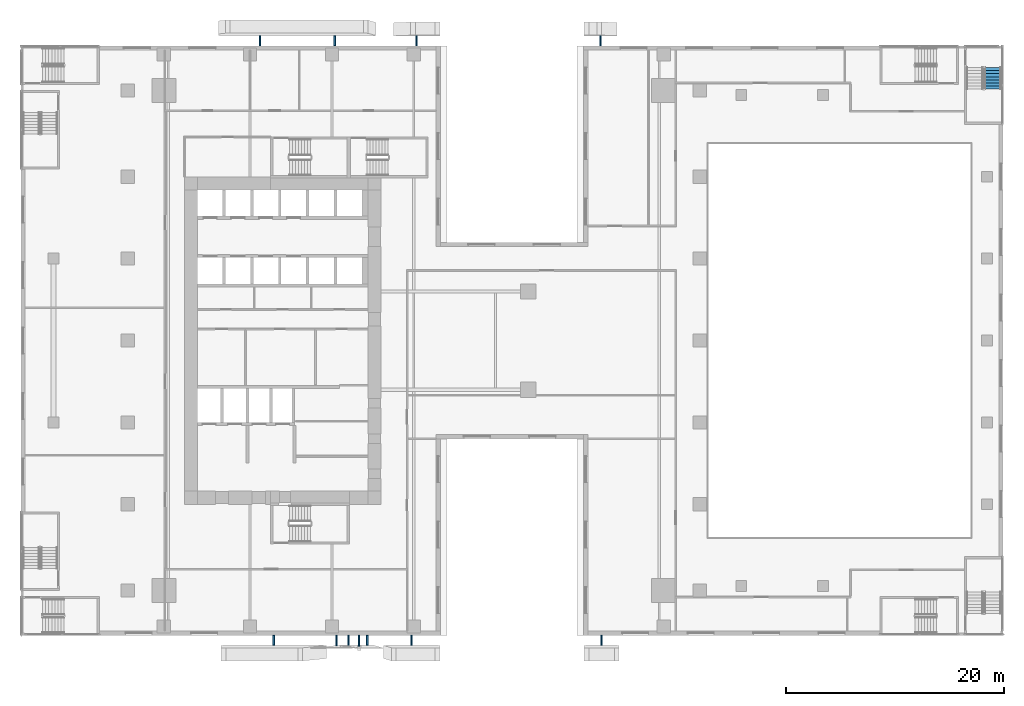
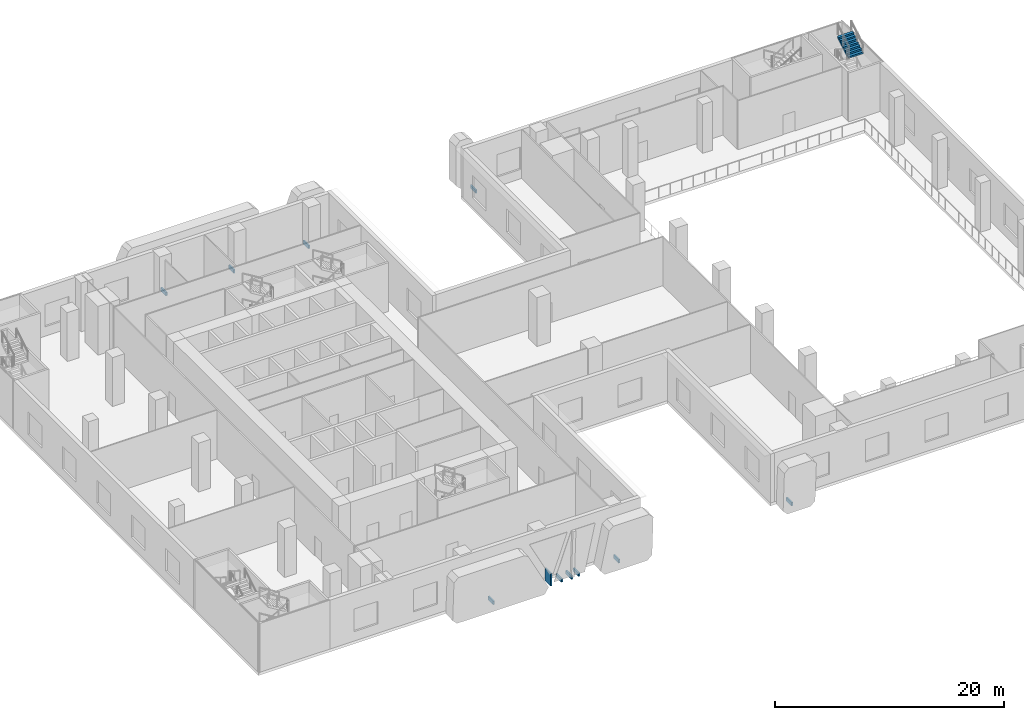
# One storey, part 16 of 23: 11 discrete accessories, 1 stair flight, 1 element without a shape of its own.
"""IFC4 building model written with IfcOpenShell, lengths in metres."""

from ifc_helpers import new_model, si_unit, direction, frame, origin, origin_2d, place, context, subcontext, project, spatial, polyline, rectangle, outline, extrude, source, transform, mapped, material, type_object, element, aggregate, save


model = new_model("IFC4")

# Units and contexts
model_context = context("Model", 3, precision=1e-05, world=origin(), true_north=direction((0.0, 1.0)))
body_context = subcontext(model_context, "Body", "Model", "MODEL_VIEW")
ifc_project = project(units=[si_unit("LENGTHUNIT", "METRE"), si_unit("AREAUNIT", "SQUARE_METRE"), si_unit("VOLUMEUNIT", "CUBIC_METRE"), si_unit("PLANEANGLEUNIT", "RADIAN"), si_unit("MASSUNIT", "GRAM", prefix="KILO")], contexts=[model_context])

# Site, building, storey
site_placement = place(None, origin())
site = spatial("IfcSite", under=ifc_project, at=site_placement, CompositionType="ELEMENT")
building_placement = place(site_placement, origin())
building = spatial("IfcBuilding", under=site, at=building_placement, Name="Khomas Fold Tower", CompositionType="ELEMENT")
storey_placement = place(building_placement, frame((0.0, 0.0, 7.5)))
storey = spatial("IfcBuildingStorey", under=building, at=storey_placement, Name="L01", CompositionType="ELEMENT", Elevation=7.5)

# Stair, stair flight
ifc_material_1 = material(Name="Concrete C40/50", Category="concrete")
stair_type = type_object("IfcStairType", Name="Stair PS6", PredefinedType="HALF_TURN_STAIR", material=ifc_material_1)
stair_placement = place(storey_placement, origin())
stair = element("IfcStair", 1, at=stair_placement, inside=storey, type_object=stair_type, Name="L01 PS6", PredefinedType="HALF_TURN_STAIR")
ifc_material_2 = material(Name="Concrete C40/50", Category="concrete")
stair_flight_type = type_object("IfcStairFlightType", Name="Stair flight 1500 PS6", PredefinedType="STRAIGHT", material=ifc_material_2)
shared_shape_1 = source(origin(), body_context, "Body", "SweptSolid", [
    extrude(outline(polyline([(0.0, 0.0), (0.0, 0.00146484375), (0.0, 0.0029296875), (0.0, 0.004150390625), (0.0, 0.005615234375), (0.0, 0.007080078125), (0.0, 0.008544921875), (0.0, 0.010009765625), (0.0, 0.011474609375), (0.0, 0.0126953125), (0.0, 0.01416015625), (0.0, 0.015625), (0.0, 0.01708984375), (0.0, 0.0185546875), (0.0, 0.019775390625), (0.0, 0.021240234375), (0.0, 0.022705078125), (0.0, 0.024169921875), (0.0, 0.025634765625), (0.0, 0.027099609375), (0.0, 0.0283203125), (0.0, 0.02978515625), (0.0, 0.03125), (0.0, 0.03271484375), (0.0, 0.0341796875), (0.0, 0.035400390625), (0.0, 0.036865234375), (0.0, 0.038330078125), (0.0, 0.039794921875), (0.0, 0.041259765625), (0.0, 0.042724609375), (0.0, 0.0439453125), (0.0, 0.04541015625), (0.0, 0.046875), (0.0, 0.04833984375), (0.0, 0.0498046875), (0.0, 0.051025390625), (0.0, 0.052490234375), (0.0, 0.053955078125), (0.0, 0.055419921875), (0.0, 0.056884765625), (0.0, 0.058349609375), (0.0, 0.0595703125), (0.0, 0.06103515625), (0.0, 0.0625), (0.0, 0.06396484375), (0.0, 0.0654296875), (0.0, 0.066650390625), (0.0, 0.068115234375), (0.0, 0.069580078125), (0.0, 0.071044921875), (0.0, 0.072509765625), (0.0, 0.073974609375), (0.0, 0.0751953125), (0.0, 0.07666015625), (0.0, 0.078125), (0.0, 0.07958984375), (0.0, 0.0810546875), (0.0, 0.082275390625), (0.0, 0.083740234375), (0.0, 0.085205078125), (0.0, 0.086669921875), (0.0, 0.088134765625), (0.0, 0.089599609375), (0.0, 0.0908203125), (0.0, 0.09228515625), (0.0, 0.09375), (0.0, 0.09521484375), (0.0, 0.0966796875), (0.0, 0.097900390625), (0.0, 0.099365234375), (0.0, 0.100830078125), (0.0, 0.102294921875), (0.0, 0.103759765625), (0.0, 0.105224609375), (0.0, 0.1064453125), (0.0, 0.10791015625), (0.0, 0.109375), (0.0, 0.11083984375), (0.0, 0.1123046875), (0.0, 0.113525390625), (0.0, 0.114990234375), (0.0, 0.116455078125), (0.0, 0.117919921875), (0.0, 0.119384765625), (0.0, 0.120849609375), (0.0, 0.1220703125), (0.0, 0.12353515625), (0.0, 0.125), (0.0, 0.12646484375), (0.0, 0.1279296875), (0.0, 0.129150390625), (0.0, 0.130615234375), (0.0, 0.132080078125), (0.0, 0.133544921875), (0.0, 0.135009765625), (0.0, 0.136474609375), (0.0, 0.1376953125), (0.0, 0.13916015625), (0.0, 0.140625), (0.0, 0.14208984375), (0.0, 0.1435546875), (0.0, 0.144775390625), (0.0, 0.146240234375), (0.0, 0.147705078125), (0.0, 0.149169921875), (0.0, 0.150634765625), (0.0, 0.152099609375), (0.0, 0.1533203125), (0.0, 0.15478515625), (0.0, 0.15625), (0.0, 0.15771484375), (0.0, 0.1591796875), (0.0, 0.160400390625), (0.0, 0.161865234375), (0.0, 0.163330078125), (0.0, 0.164794921875), (0.0, 0.166259765625), (0.0, 0.167724609375), (0.0, 0.1689453125), (0.0, 0.17041015625), (0.0, 0.171875), (0.280029296875, 0.171875), (0.280029296875, 0.34375), (0.56005859375, 0.34375), (0.56005859375, 0.515625), (0.840087890625, 0.515625), (0.840087890625, 0.6875), (1.1201171875, 0.6875), (1.1201171875, 0.859375), (1.39990234375, 0.859375), (1.39990234375, 1.03125), (1.679931640625, 1.03125), (1.679931640625, 1.203125), (1.9599609375, 1.203125), (1.9599609375, 1.375), (1.9599609375, 1.3720703125), (1.9599609375, 1.369140625), (1.9599609375, 1.366455078125), (1.9599609375, 1.363525390625), (1.9599609375, 1.360595703125), (1.9599609375, 1.357666015625), (1.9599609375, 1.35498046875), (1.9599609375, 1.35205078125), (1.9599609375, 1.34912109375), (1.9599609375, 1.34619140625), (1.9599609375, 1.343505859375), (1.9599609375, 1.340576171875), (1.9599609375, 1.337646484375), (1.9599609375, 1.334716796875), (1.9599609375, 1.331787109375), (1.9599609375, 1.3291015625), (1.9599609375, 1.326171875), (1.9599609375, 1.3232421875), (1.9599609375, 1.3203125), (1.9599609375, 1.317626953125), (1.9599609375, 1.314697265625), (1.9599609375, 1.311767578125), (1.9599609375, 1.308837890625), (1.9599609375, 1.305908203125), (1.9599609375, 1.30322265625), (1.9599609375, 1.30029296875), (1.9599609375, 1.29736328125), (1.9599609375, 1.29443359375), (1.9599609375, 1.291748046875), (1.9599609375, 1.288818359375), (1.9599609375, 1.285888671875), (1.9599609375, 1.282958984375), (1.9599609375, 1.2802734375), (1.9599609375, 1.27734375), (1.9599609375, 1.2744140625), (1.9599609375, 1.271484375), (1.9599609375, 1.2685546875), (1.9599609375, 1.265869140625), (1.9599609375, 1.262939453125), (1.9599609375, 1.260009765625), (1.9599609375, 1.257080078125), (1.9599609375, 1.25439453125), (1.9599609375, 1.25146484375), (1.9599609375, 1.24853515625), (1.9599609375, 1.24560546875), (1.9599609375, 1.24267578125), (1.9599609375, 1.239990234375), (1.9599609375, 1.237060546875), (1.9599609375, 1.234130859375), (1.9599609375, 1.231201171875), (1.9599609375, 1.228515625), (1.9599609375, 1.2255859375), (1.9599609375, 1.22265625), (1.9599609375, 1.2197265625), (1.9599609375, 1.217041015625), (1.9599609375, 1.214111328125), (1.9599609375, 1.211181640625), (1.9599609375, 1.208251953125), (1.9599609375, 1.205322265625), (1.9599609375, 1.20263671875), (1.9599609375, 1.19970703125), (1.9599609375, 1.19677734375), (1.9599609375, 1.19384765625), (1.9599609375, 1.191162109375), (1.9599609375, 1.188232421875), (1.9599609375, 1.185302734375), (1.9599609375, 1.182373046875), (1.9599609375, 1.179443359375), (1.9599609375, 1.1767578125), (1.9599609375, 1.173828125), (1.9599609375, 1.1708984375), (1.9599609375, 1.16796875), (1.9599609375, 1.165283203125), (1.9599609375, 1.162353515625), (1.9599609375, 1.159423828125), (1.9599609375, 1.156494140625), (1.9599609375, 1.15380859375), (1.9599609375, 1.15087890625), (1.9599609375, 1.14794921875), (1.9599609375, 1.14501953125), (1.9599609375, 1.14208984375), (1.9599609375, 1.139404296875), (1.9599609375, 1.136474609375), (1.9599609375, 1.133544921875), (1.9599609375, 1.130615234375), (1.9599609375, 1.1279296875), (1.9599609375, 1.125), (1.9599609375, 1.1220703125), (1.9599609375, 1.119140625), (1.9599609375, 1.1162109375), (1.9599609375, 1.113525390625), (1.9599609375, 1.110595703125), (1.9599609375, 1.107666015625), (1.9599609375, 1.104736328125), (1.9599609375, 1.10205078125), (1.9599609375, 1.09912109375), (1.9599609375, 1.09619140625), (1.9599609375, 1.09326171875), (1.9599609375, 1.090576171875), (1.9599609375, 1.087646484375), (1.9599609375, 1.084716796875), (1.9599609375, 1.081787109375), (1.9599609375, 1.078857421875), (1.9599609375, 1.076171875), (1.9599609375, 1.0732421875), (1.9599609375, 1.0703125), (1.9599609375, 1.0673828125), (1.9599609375, 1.064697265625), (1.9599609375, 1.061767578125), (1.9599609375, 1.058837890625), (1.9599609375, 1.055908203125), (1.9599609375, 1.05322265625), (1.9599609375, 1.05029296875), (1.9599609375, 1.04736328125), (1.9599609375, 1.04443359375), (1.9599609375, 1.04150390625), (1.9599609375, 1.038818359375), (1.9599609375, 1.035888671875), (1.9599609375, 1.032958984375), (1.9599609375, 1.030029296875), (1.9599609375, 1.02734375), (0.28662109375, 0.0), (0.0, 0.0)])), frame((0.0, 0.75, 0.0), z_axis=(0.0, -1.0, 0.0), x_axis=(1.0, 0.0, 0.0)), (0.0, 0.0, 1.0), 1.5),
])
stair_flight_placement = place(storey_placement, frame((80.050048828125, 50.0400390625, 4.125), z_axis=(0.0, 0.0, 1.0), x_axis=(0.0, 1.0, 0.0)))
stair_flight = element("IfcStairFlight", 2, at=stair_flight_placement, type_object=stair_flight_type, Name="PS6 flight 4", NumberOfRisers=8, NumberOfTreads=7, PredefinedType="STRAIGHT", RiserHeight=0.171875, TreadLength=0.28, context=body_context, shape_type="MappedRepresentation", body=[
    mapped(shared_shape_1, transform((0.0, 0.0, 0.0))),
])
aggregate(stair, [stair_flight])

# Discrete accessories
ifc_material_3 = material(Name="Stainless steel", Category="steel")
discrete_accessory_type = type_object("IfcDiscreteAccessoryType", Name="SK-Stainless steel stone bracket", PredefinedType="BRACKET", material=ifc_material_3)
shared_shape_2 = source(origin(), body_context, "Body", "SweptSolid", [
    extrude(rectangle(XDim=0.926513671875, YDim=0.14990234375, at=origin_2d()), origin(), (0.0, 0.0, 1.0), 0.360107421875),
])
for number, where, z_axis, x_axis, name in (
    (3, (14.1708984375, -0.46337890625, -0.30029296875), (0.0, 0.0, 1.0), (0.0, -1.0, 0.0), "Stone bracket L01 SS03-1-1"),
    (4, (26.809814453125, -0.46337890625, -0.30029296875), (0.0, 0.0, 1.0), (0.0, -1.0, 0.0), "Stone bracket L01 SS06-2-1"),
    (5, (44.2099609375, -0.46337890625, -0.30029296875), (0.0, 0.0, 1.0), (0.0, -1.0, 0.0), "Stone bracket L01 SS09-3-1"),
    (6, (12.9267578125, 54.46337890625, -0.30029296875), (0.0, 0.0, 1.0), (0.0, 1.0, 0.0), "Stone bracket L01 NS05-1-1"),
    (7, (19.760009765625, 54.46337890625, -0.30029296875), (0.0, 0.0, 1.0), (0.0, 1.0, 0.0), "Stone bracket L01 NS05-1-2"),
    (8, (21.026123046875, -0.46337890625, -0.30029296875), (0.0, 0.0, 1.0), (0.0, -1.0, 0.0), "Stone bracket L01 SG101-1-1"),
    (9, (22.74609375, -0.46337890625, -0.30029296875), (0.0, 0.0, 1.0), (0.0, -1.0, 0.0), "Stone bracket L01 SG102-3-1"),
):
    element("IfcDiscreteAccessory", number, at=place(storey_placement, frame(where, z_axis=z_axis, x_axis=x_axis)), inside=storey, type_object=discrete_accessory_type, Name=name, PredefinedType="BRACKET", context=body_context, shape_type="MappedRepresentation", body=[
        mapped(shared_shape_2, transform((0.0, 0.0, 0.0))),
    ])
shared_shape_3 = source(origin(), body_context, "Body", "SweptSolid", [
    extrude(rectangle(XDim=0.925537109375, YDim=0.14990234375, at=origin_2d()), origin(), (0.0, 0.0, 1.0), 0.360107421875),
])
for number, where, z_axis, x_axis, name in (
    (10, (44.110107421875, 54.462646484375, -0.30029296875), (0.0, 0.0, 1.0), (0.0, 1.0, 0.0), "Stone bracket L01 NS08-2-1"),
    (11, (27.265380859375, 54.462646484375, -0.30029296875), (0.0, 0.0, 1.0), (0.0, 1.0, 0.0), "Stone bracket L01 NS08-3-1"),
):
    element("IfcDiscreteAccessory", number, at=place(storey_placement, frame(where, z_axis=z_axis, x_axis=x_axis)), inside=storey, type_object=discrete_accessory_type, Name=name, PredefinedType="BRACKET", context=body_context, shape_type="MappedRepresentation", body=[
        mapped(shared_shape_3, transform((0.0, 0.0, 0.0))),
    ])
shared_shape_4 = source(origin(), body_context, "Body", "SweptSolid", [
    extrude(rectangle(XDim=1.021484375, YDim=0.14990234375, at=origin_2d()), origin(), (0.0, 0.0, 1.0), 0.360107421875),
])
discrete_accessory_1_placement = place(storey_placement, frame((22.0, -0.5107421875, -0.30029296875), z_axis=(0.0, 0.0, 1.0), x_axis=(0.0, -1.0, 0.0)))
element("IfcDiscreteAccessory", 12, at=discrete_accessory_1_placement, inside=storey, type_object=discrete_accessory_type, Name="Stone bracket L01 SM102-2-1", PredefinedType="BRACKET", context=body_context, shape_type="MappedRepresentation", body=[
    mapped(shared_shape_4, transform((0.0, 0.0, 0.0))),
])
shared_shape_5 = source(origin(), body_context, "Body", "SweptSolid", [
    extrude(rectangle(XDim=0.97900390625, YDim=0.14990234375, at=origin_2d()), origin(), (0.0, 0.0, 1.0), 1.360107421875),
])
discrete_accessory_2_placement = place(storey_placement, frame((19.907470703125, -0.489501953125, -0.30029296875), z_axis=(0.0, 0.0, 1.0), x_axis=(0.0, -1.0, 0.0)))
element("IfcDiscreteAccessory", 13, at=discrete_accessory_2_placement, inside=storey, type_object=discrete_accessory_type, Name="Stone bracket L01 SG101-4-1", PredefinedType="BRACKET", context=body_context, shape_type="MappedRepresentation", body=[
    mapped(shared_shape_5, transform((0.0, 0.0, 0.0))),
])

save(model, "model.ifc")
